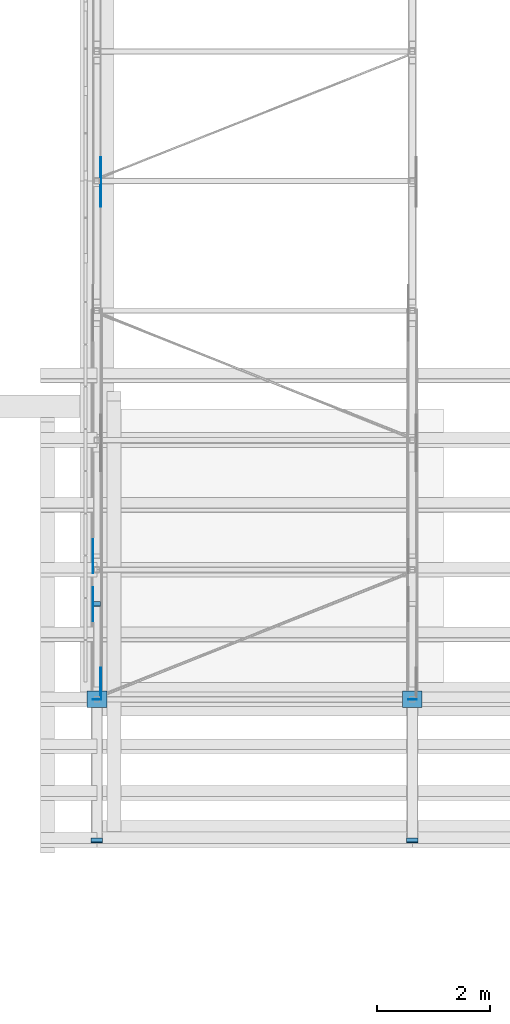
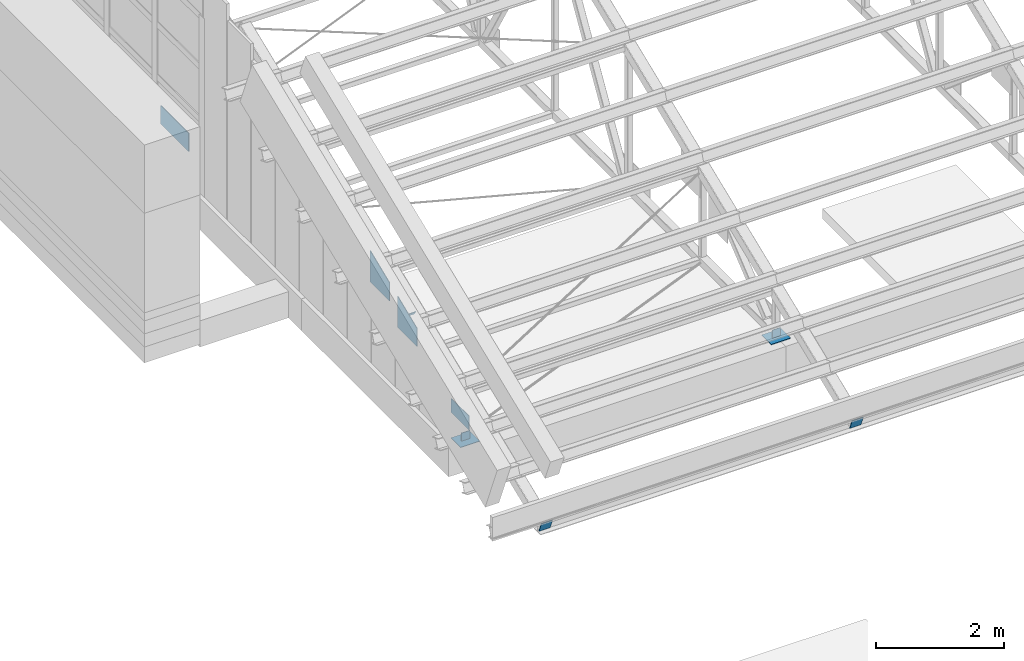
# One storey, part 51 of 71: 11 discrete accessories.
"""IFC4 building model written with IfcOpenShell, lengths in metres."""

from ifc_helpers import new_model, si_unit, direction, frame, origin, origin_2d, place, context, subcontext, project, spatial, polyline, rectangle, outline, extrude, element, save


model = new_model("IFC4")

# Units and contexts
model_context = context("Model", 3, precision=1e-05, world=origin(), true_north=direction((0.0, 1.0)))
body_context = subcontext(model_context, "Body", "Model", "MODEL_VIEW")
ifc_project = project(units=[si_unit("LENGTHUNIT", "METRE"), si_unit("AREAUNIT", "SQUARE_METRE"), si_unit("VOLUMEUNIT", "CUBIC_METRE"), si_unit("PLANEANGLEUNIT", "RADIAN"), si_unit("MASSUNIT", "GRAM", prefix="KILO")], contexts=[model_context])

# Site, building, storey
site_placement = place(None, origin())
site = spatial("IfcSite", under=ifc_project, at=site_placement, CompositionType="ELEMENT")
building_placement = place(site_placement, origin())
building = spatial("IfcBuilding", under=site, at=building_placement, Name="Wasatch Bagh Community Centre", CompositionType="ELEMENT")
storey_placement = place(building_placement, frame((0.0, 0.0, 12.60009765625)))
storey = spatial("IfcBuildingStorey", under=building, at=storey_placement, Name="L03", CompositionType="ELEMENT", Elevation=12.60009765625)

# Discrete accessories
discrete_accessory_1_placement = place(storey_placement, frame((112.199951171875, 35.68896484375, 0.48583984375), z_axis=(0.0, 0.928476690885, 0.371390676354), x_axis=(-1.0, 0.0, 0.0)))
element("IfcDiscreteAccessory", 1, at=discrete_accessory_1_placement, inside=storey, Name="SH.SA1.TC01.EPA", PredefinedType="NOTDEFINED", context=body_context, shape_type="SweptSolid", body=[
    extrude(rectangle(XDim=0.203125, YDim=0.203125, at=origin_2d()), origin(), (0.0, 0.0, 1.0), 0.01171875),
])
discrete_accessory_2_placement = place(storey_placement, frame((112.199951171875, 38.18798828125, 0.68603515625), z_axis=(0.0, 1.0, 0.0), x_axis=(-1.0, 0.0, 0.0)))
element("IfcDiscreteAccessory", 2, at=discrete_accessory_2_placement, inside=storey, Name="SH.SA1.BC01.EPA", PredefinedType="NOTDEFINED", context=body_context, shape_type="SweptSolid", body=[
    extrude(rectangle(XDim=0.15234375, YDim=0.15234375, at=origin_2d()), origin(), (0.0, 0.0, 1.0), 0.011962890625),
])
discrete_accessory_3_placement = place(storey_placement, frame((112.199951171875, 39.885009765625, 1.971923828125), z_axis=(0.0, 0.774865020772, 0.632126727472), x_axis=(-1.0, 0.0, 0.0)))
element("IfcDiscreteAccessory", 3, at=discrete_accessory_3_placement, inside=storey, Name="SH.SA1.WB01.EPB", PredefinedType="NOTDEFINED", context=body_context, shape_type="SweptSolid", body=[
    extrude(rectangle(XDim=0.126953125, YDim=0.126953125, at=origin_2d()), origin(), (0.0, 0.0, 1.0), 0.011962890625),
])
discrete_accessory_4_placement = place(storey_placement, frame((117.800048828125, 35.68896484375, 0.48583984375), z_axis=(0.0, 0.928476690885, 0.371390676354), x_axis=(-1.0, 0.0, 0.0)))
element("IfcDiscreteAccessory", 4, at=discrete_accessory_4_placement, inside=storey, Name="SH.SA2.TC01.EPA", PredefinedType="NOTDEFINED", context=body_context, shape_type="SweptSolid", body=[
    extrude(rectangle(XDim=0.203125, YDim=0.203125, at=origin_2d()), origin(), (0.0, 0.0, 1.0), 0.01171875),
])
discrete_accessory_5_placement = place(storey_placement, frame((117.800048828125, 38.18798828125, 0.68603515625), z_axis=(0.0, 1.0, 0.0), x_axis=(-1.0, 0.0, 0.0)))
element("IfcDiscreteAccessory", 5, at=discrete_accessory_5_placement, inside=storey, Name="SH.SA2.BC01.EPA", PredefinedType="NOTDEFINED", context=body_context, shape_type="SweptSolid", body=[
    extrude(rectangle(XDim=0.15234375, YDim=0.15234375, at=origin_2d()), origin(), (0.0, 0.0, 1.0), 0.011962890625),
])
discrete_accessory_6_placement = place(storey_placement, frame((112.27587890625, 38.199951171875, 0.7626953125), z_axis=(1.0, 0.0, 0.0), x_axis=(0.0, 1.0, 0.0)))
element("IfcDiscreteAccessory", 6, at=discrete_accessory_6_placement, inside=storey, Name="Gusset plate", PredefinedType="BRACKET", context=body_context, shape_type="SweptSolid", body=[
    extrude(outline(polyline([(0.0, 0.0), (0.55859375, 0.0), (0.55859375, 0.264892578125), (0.0, 0.264892578125), (0.0, 0.0)])), origin(), (0.0, 0.0, -1.0), 0.011962890625),
])
discrete_accessory_7_placement = place(storey_placement, frame((112.27587890625, 46.94775390625, 0.7626953125), z_axis=(1.0, 0.0, 0.0), x_axis=(0.0, 1.0, 0.0)))
element("IfcDiscreteAccessory", 7, at=discrete_accessory_7_placement, inside=storey, Name="Gusset plate", PredefinedType="BRACKET", context=body_context, shape_type="SweptSolid", body=[
    extrude(outline(polyline([(0.0, 0.0), (0.877197265625, 0.0), (0.877197265625, 0.35009765625), (0.0, 0.35009765625), (0.0, 0.0)])), origin(), (0.0, 0.0, -1.0), 0.011962890625),
])
discrete_accessory_8_placement = place(storey_placement, frame((112.1240234375, 39.5849609375, 1.91455078125), z_axis=(-1.0, 0.0, 0.0), x_axis=(0.0, 0.926014333695, 0.377488349212)))
element("IfcDiscreteAccessory", 8, at=discrete_accessory_8_placement, inside=storey, Name="Gusset plate", PredefinedType="BRACKET", context=body_context, shape_type="SweptSolid", body=[
    extrude(outline(polyline([(0.0, 0.0), (0.6480435932943203, 2.7755575615628914e-17), (0.4236334052252534, 0.5504992437861941), (-0.13206562607924965, 0.3239693701624707), (0.0, 0.0)])), origin(), (0.0, 0.0, -1.0), 0.011962890625),
])
discrete_accessory_9_placement = place(storey_placement, frame((112.1240234375, 40.44140625, 2.263671875), z_axis=(-1.0, 0.0, 0.0), x_axis=(0.0, 0.92713862273, 0.374718526687)))
element("IfcDiscreteAccessory", 9, at=discrete_accessory_9_placement, inside=storey, Name="Gusset plate", PredefinedType="BRACKET", context=body_context, shape_type="SweptSolid", body=[
    extrude(outline(polyline([(0.0, 0.0), (0.06319847816011198, 0.0), (0.6477228616360075, -0.0018023294149140112), (0.4249592843698544, 0.5493652844394852), (-0.1311880779464737, 0.3245890588366359), (0.0, 0.0)])), origin(), (0.0, 0.0, -1.0), 0.011962890625),
])
for number, where, z_axis, x_axis, name in (
    (10, (112.199951171875, 38.199951171875, 0.60009765625), (0.0, 0.0, 1.0), (1.0, 0.0, 0.0), "Bearing plate"),
    (11, (117.800048828125, 38.199951171875, 0.60009765625), (0.0, 0.0, 1.0), (1.0, 0.0, 0.0), "Bearing plate"),
):
    element("IfcDiscreteAccessory", number, at=place(storey_placement, frame(where, z_axis=z_axis, x_axis=x_axis)), inside=storey, Name=name, PredefinedType="BRACKET", context=body_context, shape_type="SweptSolid", body=[
        extrude(rectangle(XDim=0.35009765625, YDim=0.300048828125, at=origin_2d()), origin(), (0.0, 0.0, 1.0), 0.010009765625),
    ])

save(model, "model.ifc")
